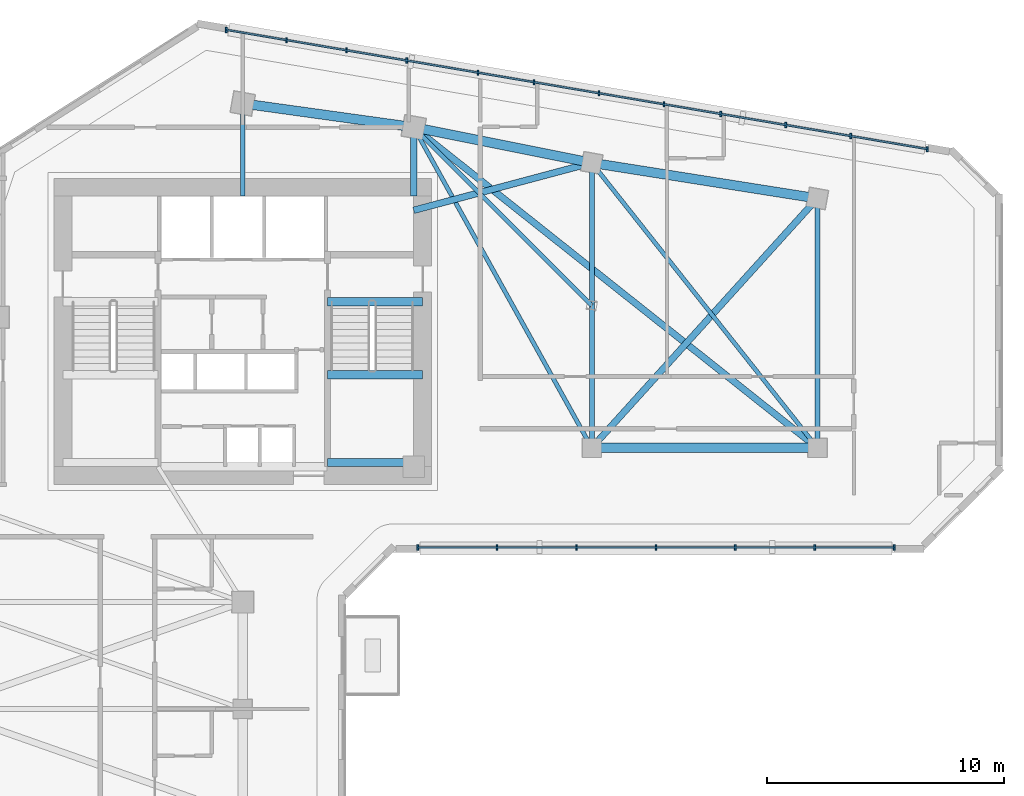
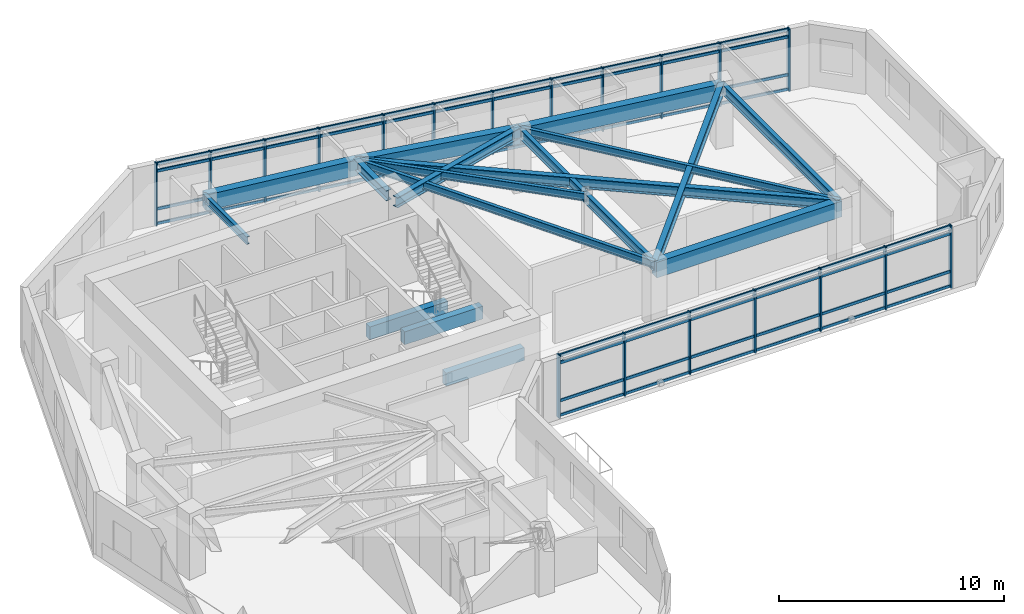
# One storey, part 2 of 10: 27 members, 17 beams, 2 elements without a shape of their own.
"""IFC4 building model written with IfcOpenShell, lengths in metres."""

from ifc_helpers import new_model, si_unit, direction, frame, origin, origin_2d, place, context, subcontext, project, spatial, rectangle, i_section, extrude, source, transform, mapped, material, material_profile, profile_set, type_object, element, aggregate, save


model = new_model("IFC4")

# Units and contexts
model_context = context("Model", 3, precision=1e-05, world=origin(), true_north=direction((0.0, 1.0)))
body_context = subcontext(model_context, "Body", "Model", "MODEL_VIEW")
ifc_project = project(units=[si_unit("LENGTHUNIT", "METRE"), si_unit("AREAUNIT", "SQUARE_METRE"), si_unit("VOLUMEUNIT", "CUBIC_METRE"), si_unit("PLANEANGLEUNIT", "RADIAN"), si_unit("MASSUNIT", "GRAM", prefix="KILO")], contexts=[model_context])

# Site, building, storey
site_placement = place(None, origin())
site = spatial("IfcSite", under=ifc_project, at=site_placement, CompositionType="ELEMENT")
building_placement = place(site_placement, origin())
building = spatial("IfcBuilding", under=site, at=building_placement, Name="Calvemar Wedge Station Tower", CompositionType="ELEMENT")
storey_placement = place(building_placement, frame((0.0, 0.0, 146.60009765625)))
storey = spatial("IfcBuildingStorey", under=building, at=storey_placement, Name="L36", CompositionType="ELEMENT", Elevation=146.60009765625)

# Beams
ifc_material_1 = material(Name="Concrete C60", Category="concrete")
ifc_material_profile_1 = material_profile(ifc_material_1, rectangle(XDim=0.39990234375, YDim=0.85009765625, at=origin_2d()), Name="RC400x850")
ifc_profile_set_1 = profile_set([ifc_material_profile_1], Name="Concrete C60")
beam_type_1 = type_object("IfcBeamType", Name="BM-SP1-850", PredefinedType="SPANDREL", material=ifc_profile_set_1)
shared_shape_1 = source(origin(), body_context, "Body", "SweptSolid", [
    extrude(rectangle(XDim=0.39990234375, YDim=0.85009765625, at=origin_2d()), origin(), (0.0, 0.0, 1.0), 7.26904296875),
])
beam_1_placement = place(storey_placement, frame((23.800048828125, 49.5, 2.9248046875), z_axis=(0.990492146053, -0.13756928657, 0.0), x_axis=(0.13756928657, 0.990492146053, 0.0)))
element("IfcBeam", 1, at=beam_1_placement, inside=storey, type_object=beam_type_1, Name="Storey L36 Spandrel T-N1-T-N2", PredefinedType="SPANDREL", context=body_context, shape_type="MappedRepresentation", body=[
    mapped(shared_shape_1, transform((0.0, 0.0, 0.0), scale=1.0)),
])
shared_shape_2 = source(origin(), body_context, "Body", "SweptSolid", [
    extrude(rectangle(XDim=0.39990234375, YDim=0.85009765625, at=origin_2d()), origin(), (0.0, 0.0, 1.0), 7.6484375),
])
beam_2_placement = place(storey_placement, frame((31.0, 48.5, 2.9248046875), z_axis=(0.980580675691, -0.196116135138, 0.0), x_axis=(0.196116135138, 0.980580675691, 0.0)))
element("IfcBeam", 2, at=beam_2_placement, inside=storey, type_object=beam_type_1, Name="Storey L36 Spandrel T-N2-T-NU3", PredefinedType="SPANDREL", context=body_context, shape_type="MappedRepresentation", body=[
    mapped(shared_shape_2, transform((0.0, 0.0, 0.0), scale=1.0)),
])
shared_shape_3 = source(origin(), body_context, "Body", "SweptSolid", [
    extrude(rectangle(XDim=0.39990234375, YDim=0.85009765625, at=origin_2d()), origin(), (0.0, 0.0, 1.0), 9.61767578125),
])
beam_3_placement = place(storey_placement, frame((38.5, 47.0, 2.9248046875), z_axis=(0.987762965329, -0.155962573473, 0.0), x_axis=(0.155962573473, 0.987762965329, 0.0)))
element("IfcBeam", 3, at=beam_3_placement, inside=storey, type_object=beam_type_1, Name="Storey L36 Spandrel T-NU3-T-NU4", PredefinedType="SPANDREL", context=body_context, shape_type="MappedRepresentation", body=[
    mapped(shared_shape_3, transform((0.0, 0.0, 0.0), scale=1.0)),
])
shared_shape_4 = source(origin(), body_context, "Body", "SweptSolid", [
    extrude(rectangle(XDim=0.39990234375, YDim=0.85009765625, at=origin_2d()), origin(), (0.0, 0.0, 1.0), 9.5),
])
beam_4_placement = place(storey_placement, frame((38.5, 35.0, 2.9248046875), z_axis=(1.0, 0.0, 0.0), x_axis=(0.0, 1.0, 0.0)))
element("IfcBeam", 4, at=beam_4_placement, inside=storey, type_object=beam_type_1, Name="Storey L36 Spandrel T-NL2-T-NL3", PredefinedType="SPANDREL", context=body_context, shape_type="MappedRepresentation", body=[
    mapped(shared_shape_4, transform((0.0, 0.0, 0.0), scale=1.0)),
])
ifc_material_2 = material(Name="Structural steel ASTM A572 Grade 50", Category="steel")
ifc_material_profile_2 = material_profile(ifc_material_2, i_section(OverallWidth=0.177978515625, OverallDepth=0.406982421875, WebThickness=0.0078125, FlangeThickness=0.0126953125, FilletRadius=0.010009765625, at=origin_2d()), Name="W410x60")
ifc_profile_set_2 = profile_set([ifc_material_profile_2], Name="Structural steel ASTM A572 Grade 50")
beam_type_2 = type_object("IfcBeamType", Name="BM-J3-W410", PredefinedType="JOIST", material=ifc_profile_set_2)
shared_shape_5 = source(origin(), body_context, "Body", "SweptSolid", [
    extrude(i_section(OverallWidth=0.177978515625, OverallDepth=0.406982421875, WebThickness=0.0078125, FlangeThickness=0.0126953125, FilletRadius=0.010009765625, at=origin_2d()), origin(), (0.0, 0.0, 1.0), 15.443359375),
])
beam_5_placement = place(storey_placement, frame((31.0, 48.5, 3.146484375), z_axis=(0.485642931179, -0.874157276122, 0.0), x_axis=(0.874157276122, 0.485642931179, 0.0)))
element("IfcBeam", 5, at=beam_5_placement, inside=storey, type_object=beam_type_2, Name="Storey L36 Floor Beam T-N2-T-NL2", PredefinedType="JOIST", context=body_context, shape_type="MappedRepresentation", body=[
    mapped(shared_shape_5, transform((0.0, 0.0, 0.0), scale=1.0)),
])
ifc_material_profile_3 = material_profile(ifc_material_2, i_section(OverallWidth=0.279052734375, OverallDepth=0.553955078125, WebThickness=0.017578125, FlangeThickness=0.029541015625, FilletRadius=0.014892578125, at=origin_2d()), Name="W530x196")
ifc_profile_set_3 = profile_set([ifc_material_profile_3], Name="Structural steel ASTM A572 Grade 50")
beam_type_3 = type_object("IfcBeamType", Name="BM-SB3-W530H", PredefinedType="BEAM", material=ifc_profile_set_3)
shared_shape_6 = source(origin(), body_context, "Body", "SweptSolid", [
    extrude(i_section(OverallWidth=0.279052734375, OverallDepth=0.553955078125, WebThickness=0.017578125, FlangeThickness=0.029541015625, FilletRadius=0.014892578125, at=origin_2d()), origin(), (0.0, 0.0, 1.0), 21.708251953125),
])
beam_6_placement = place(storey_placement, frame((31.0, 48.5, 3.072998046875), z_axis=(0.783110847498, -0.621882143602, 0.0), x_axis=(0.621882143602, 0.783110847498, 0.0)))
element("IfcBeam", 6, at=beam_6_placement, inside=storey, type_object=beam_type_3, Name="Storey L36 Floor Beam T-N2-T-NL3", PredefinedType="BEAM", context=body_context, shape_type="MappedRepresentation", body=[
    mapped(shared_shape_6, transform((0.0, 0.0, 0.0), scale=1.0)),
])
shared_shape_7 = source(origin(), body_context, "Body", "SweptSolid", [
    extrude(i_section(OverallWidth=0.177978515625, OverallDepth=0.406982421875, WebThickness=0.0078125, FlangeThickness=0.0126953125, FilletRadius=0.010009765625, at=origin_2d()), origin(), (0.0, 0.0, 1.0), 15.30517578125),
])
beam_7_placement = place(storey_placement, frame((38.5, 47.0, 3.146484375), z_axis=(0.620702944366, -0.784045824462, 0.0), x_axis=(0.784045824462, 0.620702944366, 0.0)))
element("IfcBeam", 7, at=beam_7_placement, inside=storey, type_object=beam_type_2, Name="Storey L36 Floor Beam T-NU3-T-NL3", PredefinedType="JOIST", context=body_context, shape_type="MappedRepresentation", body=[
    mapped(shared_shape_7, transform((0.0, 0.0, 0.0), scale=1.0)),
])
shared_shape_8 = source(origin(), body_context, "Body", "SweptSolid", [
    extrude(i_section(OverallWidth=0.279052734375, OverallDepth=0.553955078125, WebThickness=0.017578125, FlangeThickness=0.029541015625, FilletRadius=0.014892578125, at=origin_2d()), origin(), (0.0, 0.0, 1.0), 14.159912109375),
])
beam_8_placement = place(storey_placement, frame((38.5, 35.0, 3.072998046875), z_axis=(0.670913323969, 0.741535779124, 0.0), x_axis=(-0.741535779124, 0.670913323969, 0.0)))
element("IfcBeam", 8, at=beam_8_placement, inside=storey, type_object=beam_type_3, Name="Storey L36 Floor Beam T-NL2-T-NU4", PredefinedType="BEAM", context=body_context, shape_type="MappedRepresentation", body=[
    mapped(shared_shape_8, transform((0.0, 0.0, 0.0), scale=1.0)),
])
shared_shape_9 = source(origin(), body_context, "Body", "SweptSolid", [
    extrude(i_section(OverallWidth=0.279052734375, OverallDepth=0.553955078125, WebThickness=0.017578125, FlangeThickness=0.029541015625, FilletRadius=0.014892578125, at=origin_2d()), origin(), (0.0, 0.0, 1.0), 7.76220703125),
])
beam_9_placement = place(storey_placement, frame((31.0, 45.0, 3.072998046875), z_axis=(0.966234939601, 0.25766265056, 0.0), x_axis=(-0.25766265056, 0.966234939601, 0.0)))
element("IfcBeam", 9, at=beam_9_placement, inside=storey, type_object=beam_type_3, Name="Storey L36 Core-to-Column Joist CJ-E2", PredefinedType="BEAM", context=body_context, shape_type="MappedRepresentation", body=[
    mapped(shared_shape_9, transform((0.0, 0.0, 0.0), scale=1.0)),
])
shared_shape_10 = source(origin(), body_context, "Body", "SweptSolid", [
    extrude(i_section(OverallWidth=0.177978515625, OverallDepth=0.406982421875, WebThickness=0.0078125, FlangeThickness=0.0126953125, FilletRadius=0.010009765625, at=origin_2d()), origin(), (0.0, 0.0, 1.0), 3.89990234375),
])
beam_10_placement = place(storey_placement, frame((23.800048828125, 45.60009765625, 3.146484375), z_axis=(0.0, 1.0, 0.0), x_axis=(-1.0, 0.0, 0.0)))
element("IfcBeam", 10, at=beam_10_placement, inside=storey, type_object=beam_type_2, Name="Storey L36 Core-to-Column Joist CJ-N1", PredefinedType="JOIST", context=body_context, shape_type="MappedRepresentation", body=[
    mapped(shared_shape_10, transform((0.0, 0.0, 0.0), scale=1.0)),
])
shared_shape_11 = source(origin(), body_context, "Body", "SweptSolid", [
    extrude(i_section(OverallWidth=0.279052734375, OverallDepth=0.553955078125, WebThickness=0.017578125, FlangeThickness=0.029541015625, FilletRadius=0.014892578125, at=origin_2d()), origin(), (0.0, 0.0, 1.0), 2.89990234375),
])
beam_11_placement = place(storey_placement, frame((31.0, 45.60009765625, 3.072998046875), z_axis=(0.0, 1.0, 0.0), x_axis=(-1.0, 0.0, 0.0)))
element("IfcBeam", 11, at=beam_11_placement, inside=storey, type_object=beam_type_3, Name="Storey L36 Core-to-Column Joist CJ-N2", PredefinedType="BEAM", context=body_context, shape_type="MappedRepresentation", body=[
    mapped(shared_shape_11, transform((0.0, 0.0, 0.0), scale=1.0)),
])
ifc_material_3 = material(Name="Concrete C70", Category="concrete")
ifc_material_profile_4 = material_profile(ifc_material_3, rectangle(XDim=0.35009765625, YDim=0.699951171875, at=origin_2d()), Name="RC350x700")
ifc_profile_set_4 = profile_set([ifc_material_profile_4], Name="Concrete C70")
beam_type_4 = type_object("IfcBeamType", Name="BM-LN1-700", PredefinedType="LINTEL", material=ifc_profile_set_4)
shared_shape_12 = source(origin(), body_context, "Body", "SweptSolid", [
    extrude(rectangle(XDim=0.35009765625, YDim=0.699951171875, at=origin_2d()), origin(), (0.0, 0.0, 1.0), 4.0048828125),
])
for number, where, z_axis, x_axis, name in (
    (12, (27.3701171875, 41.14990234375, -0.35009765625), (1.0, 0.0, 0.0), (0.0, 1.0, 0.0), "Storey L36 Stair ST-C2 Landing Trimmer Beam"),
    (13, (27.3701171875, 34.3798828125, 1.25), (1.0, 0.0, 0.0), (0.0, 1.0, 0.0), "Storey L36 Stair ST-C2 Half-Landing Beam 1A"),
    (14, (27.3701171875, 38.070068359375, 1.25), (1.0, 0.0, 0.0), (0.0, 1.0, 0.0), "Storey L36 Stair ST-C2 Half-Landing Beam 1B"),
):
    element("IfcBeam", number, at=place(storey_placement, frame(where, z_axis=z_axis, x_axis=x_axis)), inside=storey, type_object=beam_type_4, Name=name, PredefinedType="LINTEL", context=body_context, shape_type="MappedRepresentation", body=[
        mapped(shared_shape_12, transform((0.0, 0.0, 0.0), scale=1.0)),
    ])
ifc_material_profile_5 = material_profile(ifc_material_2, i_section(OverallWidth=0.2109375, OverallDepth=0.5390625, WebThickness=0.01171875, FlangeThickness=0.018798828125, FilletRadius=0.012939453125, at=origin_2d()), Name="W530x109")
ifc_profile_set_5 = profile_set([ifc_material_profile_5], Name="Structural steel ASTM A572 Grade 50")
beam_type_5 = type_object("IfcBeamType", Name="BM-SB4-W530", PredefinedType="BEAM", material=ifc_profile_set_5)
shared_shape_13 = source(origin(), body_context, "Body", "SweptSolid", [
    extrude(i_section(OverallWidth=0.2109375, OverallDepth=0.5390625, WebThickness=0.01171875, FlangeThickness=0.018798828125, FilletRadius=0.012939453125, at=origin_2d()), origin(), (0.0, 0.0, 1.0), 12.0),
])
beam_12_placement = place(storey_placement, frame((38.5, 47.0, 3.080322265625), z_axis=(0.0, -1.0, 0.0), x_axis=(1.0, 0.0, 0.0)))
element("IfcBeam", 15, at=beam_12_placement, inside=storey, type_object=beam_type_5, Name="Storey L36 Floor Beam T-NU3-T-NL2", PredefinedType="BEAM", context=body_context, shape_type="MappedRepresentation", body=[
    mapped(shared_shape_13, transform((0.0, 0.0, 0.0), scale=1.0)),
])
shared_shape_14 = source(origin(), body_context, "Body", "SweptSolid", [
    extrude(i_section(OverallWidth=0.2109375, OverallDepth=0.5390625, WebThickness=0.01171875, FlangeThickness=0.018798828125, FilletRadius=0.012939453125, at=origin_2d()), origin(), (0.0, 0.0, 1.0), 10.5),
])
beam_13_placement = place(storey_placement, frame((48.0, 45.5, 3.080322265625), z_axis=(0.0, -1.0, 0.0), x_axis=(1.0, 0.0, 0.0)))
element("IfcBeam", 16, at=beam_13_placement, inside=storey, type_object=beam_type_5, Name="Storey L36 Floor Beam T-NU4-T-NL3", PredefinedType="BEAM", context=body_context, shape_type="MappedRepresentation", body=[
    mapped(shared_shape_14, transform((0.0, 0.0, 0.0), scale=1.0)),
])
shared_shape_15 = source(origin(), body_context, "Body", "SweptSolid", [
    extrude(i_section(OverallWidth=0.177978515625, OverallDepth=0.406982421875, WebThickness=0.0078125, FlangeThickness=0.0126953125, FilletRadius=0.010009765625, at=origin_2d()), origin(), (0.0, 0.0, 1.0), 10.606689453125),
])
beam_14_placement = place(storey_placement, frame((38.5, 41.0, 3.146484375), z_axis=(-0.707106781187, 0.707106781187, 0.0), x_axis=(-0.707106781187, -0.707106781187, 0.0)))
element("IfcBeam", 17, at=beam_14_placement, inside=storey, type_object=beam_type_2, Name="Storey L36 Floor Beam T-NTIP-B-T-N2", PredefinedType="JOIST", context=body_context, shape_type="MappedRepresentation", body=[
    mapped(shared_shape_15, transform((0.0, 0.0, 0.0), scale=1.0)),
])

# Curtain wall, members
ifc_material_4 = material(Name="Anodised aluminium 6063-T6", Category="aluminium")
curtain_wall_type = type_object("IfcCurtainWallType", Name="CW2", PredefinedType="NOTDEFINED", material=ifc_material_4)
curtain_wall_1_placement = place(storey_placement, origin())
curtain_wall_1 = element("IfcCurtainWall", 18, at=curtain_wall_1_placement, inside=storey, type_object=curtain_wall_type, Name="Storey L36 CW2 Recessed Unitised Curtain Wall 6", PredefinedType="NOTDEFINED")
ifc_material_profile_6 = material_profile(ifc_material_4, rectangle(XDim=0.074951171875, YDim=0.219970703125, at=origin_2d()), Name="AL-MUL-75x220")
ifc_profile_set_6 = profile_set([ifc_material_profile_6], Name="Anodised aluminium 6063-T6")
member_type_1 = type_object("IfcMemberType", Name="CW2-MUL", PredefinedType="MULLION", material=ifc_profile_set_6)
shared_shape_16 = source(origin(), body_context, "Body", "SweptSolid", [
    extrude(rectangle(XDim=0.074951171875, YDim=0.219970703125, at=origin_2d()), origin(), (0.0, 0.0, 1.0), 3.39990234375),
])
member_1_placement = place(storey_placement, frame((31.166015625, 30.802001953125, -0.050048828125), z_axis=(0.0, 0.0, 1.0), x_axis=(1.0, 0.0, 0.0)))
member_1 = element("IfcMember", 19, at=member_1_placement, type_object=member_type_1, Name="CW2 mullion 1", PredefinedType="MULLION", context=body_context, shape_type="MappedRepresentation", body=[
    mapped(shared_shape_16, transform((0.0, 0.0, 0.0), scale=1.0)),
])
member_2_placement = place(storey_placement, frame((34.51123046875, 30.802001953125, -0.050048828125), z_axis=(0.0, 0.0, 1.0), x_axis=(1.0, 0.0, 0.0)))
member_2 = element("IfcMember", 20, at=member_2_placement, type_object=member_type_1, Name="CW2 mullion 2", PredefinedType="MULLION", context=body_context, shape_type="MappedRepresentation", body=[
    mapped(shared_shape_16, transform((0.0, 0.0, 0.0), scale=1.0)),
])
member_3_placement = place(storey_placement, frame((37.856689453125, 30.802001953125, -0.050048828125), z_axis=(0.0, 0.0, 1.0), x_axis=(1.0, 0.0, 0.0)))
member_3 = element("IfcMember", 21, at=member_3_placement, type_object=member_type_1, Name="CW2 mullion 3", PredefinedType="MULLION", context=body_context, shape_type="MappedRepresentation", body=[
    mapped(shared_shape_16, transform((0.0, 0.0, 0.0), scale=1.0)),
])
member_4_placement = place(storey_placement, frame((41.201904296875, 30.802001953125, -0.050048828125), z_axis=(0.0, 0.0, 1.0), x_axis=(1.0, 0.0, 0.0)))
member_4 = element("IfcMember", 22, at=member_4_placement, type_object=member_type_1, Name="CW2 mullion 4", PredefinedType="MULLION", context=body_context, shape_type="MappedRepresentation", body=[
    mapped(shared_shape_16, transform((0.0, 0.0, 0.0), scale=1.0)),
])
member_5_placement = place(storey_placement, frame((44.547119140625, 30.802001953125, -0.050048828125), z_axis=(0.0, 0.0, 1.0), x_axis=(1.0, 0.0, 0.0)))
member_5 = element("IfcMember", 23, at=member_5_placement, type_object=member_type_1, Name="CW2 mullion 5", PredefinedType="MULLION", context=body_context, shape_type="MappedRepresentation", body=[
    mapped(shared_shape_16, transform((0.0, 0.0, 0.0), scale=1.0)),
])
member_6_placement = place(storey_placement, frame((47.892578125, 30.802001953125, -0.050048828125), z_axis=(0.0, 0.0, 1.0), x_axis=(1.0, 0.0, 0.0)))
member_6 = element("IfcMember", 24, at=member_6_placement, type_object=member_type_1, Name="CW2 mullion 6", PredefinedType="MULLION", context=body_context, shape_type="MappedRepresentation", body=[
    mapped(shared_shape_16, transform((0.0, 0.0, 0.0), scale=1.0)),
])
member_7_placement = place(storey_placement, frame((51.23779296875, 30.802001953125, -0.050048828125), z_axis=(0.0, 0.0, 1.0), x_axis=(1.0, 0.0, 0.0)))
member_7 = element("IfcMember", 25, at=member_7_placement, type_object=member_type_1, Name="CW2 mullion 7", PredefinedType="MULLION", context=body_context, shape_type="MappedRepresentation", body=[
    mapped(shared_shape_16, transform((0.0, 0.0, 0.0), scale=1.0)),
])

curtain_wall_2_placement = place(storey_placement, origin())
curtain_wall_2 = element("IfcCurtainWall", 26, at=curtain_wall_2_placement, inside=storey, type_object=curtain_wall_type, Name="Storey L36 CW2 Recessed Unitised Curtain Wall 10", PredefinedType="NOTDEFINED")
member_8_placement = place(storey_placement, frame((52.63330078125, 47.577392578125, -0.050048828125), z_axis=(0.0, 0.0, 1.0), x_axis=(1.0, 0.0, 0.0)))
member_8 = element("IfcMember", 27, at=member_8_placement, type_object=member_type_1, Name="CW2 mullion 1", PredefinedType="MULLION", context=body_context, shape_type="MappedRepresentation", body=[
    mapped(shared_shape_16, transform((0.0, 0.0, 0.0), scale=1.0)),
])
member_9_placement = place(storey_placement, frame((49.40625, 48.126220703125, -0.050048828125), z_axis=(0.0, 0.0, 1.0), x_axis=(1.0, 0.0, 0.0)))
member_9 = element("IfcMember", 28, at=member_9_placement, type_object=member_type_1, Name="CW2 mullion 2", PredefinedType="MULLION", context=body_context, shape_type="MappedRepresentation", body=[
    mapped(shared_shape_16, transform((0.0, 0.0, 0.0), scale=1.0)),
])
member_10_placement = place(storey_placement, frame((46.67236328125, 48.591064453125, -0.050048828125), z_axis=(0.0, 0.0, 1.0), x_axis=(1.0, 0.0, 0.0)))
member_10 = element("IfcMember", 29, at=member_10_placement, type_object=member_type_1, Name="CW2 mullion 3", PredefinedType="MULLION", context=body_context, shape_type="MappedRepresentation", body=[
    mapped(shared_shape_16, transform((0.0, 0.0, 0.0), scale=1.0)),
])
member_11_placement = place(storey_placement, frame((43.938232421875, 49.05615234375, -0.050048828125), z_axis=(0.0, 0.0, 1.0), x_axis=(1.0, 0.0, 0.0)))
member_11 = element("IfcMember", 30, at=member_11_placement, type_object=member_type_1, Name="CW2 mullion 4", PredefinedType="MULLION", context=body_context, shape_type="MappedRepresentation", body=[
    mapped(shared_shape_16, transform((0.0, 0.0, 0.0), scale=1.0)),
])
member_12_placement = place(storey_placement, frame((41.5380859375, 49.46435546875, -0.050048828125), z_axis=(0.0, 0.0, 1.0), x_axis=(1.0, 0.0, 0.0)))
member_12 = element("IfcMember", 31, at=member_12_placement, type_object=member_type_1, Name="CW2 mullion 5", PredefinedType="MULLION", context=body_context, shape_type="MappedRepresentation", body=[
    mapped(shared_shape_16, transform((0.0, 0.0, 0.0), scale=1.0)),
])
member_13_placement = place(storey_placement, frame((38.8046875, 49.92919921875, -0.050048828125), z_axis=(0.0, 0.0, 1.0), x_axis=(1.0, 0.0, 0.0)))
member_13 = element("IfcMember", 32, at=member_13_placement, type_object=member_type_1, Name="CW2 mullion 6", PredefinedType="MULLION", context=body_context, shape_type="MappedRepresentation", body=[
    mapped(shared_shape_16, transform((0.0, 0.0, 0.0), scale=1.0)),
])
member_14_placement = place(storey_placement, frame((36.0712890625, 50.39404296875, -0.050048828125), z_axis=(0.0, 0.0, 1.0), x_axis=(1.0, 0.0, 0.0)))
member_14 = element("IfcMember", 33, at=member_14_placement, type_object=member_type_1, Name="CW2 mullion 7", PredefinedType="MULLION", context=body_context, shape_type="MappedRepresentation", body=[
    mapped(shared_shape_16, transform((0.0, 0.0, 0.0), scale=1.0)),
])
member_15_placement = place(storey_placement, frame((33.7080078125, 50.7958984375, -0.050048828125), z_axis=(0.0, 0.0, 1.0), x_axis=(1.0, 0.0, 0.0)))
member_15 = element("IfcMember", 34, at=member_15_placement, type_object=member_type_1, Name="CW2 mullion 8", PredefinedType="MULLION", context=body_context, shape_type="MappedRepresentation", body=[
    mapped(shared_shape_16, transform((0.0, 0.0, 0.0), scale=1.0)),
])
member_16_placement = place(storey_placement, frame((30.7080078125, 51.30615234375, -0.050048828125), z_axis=(0.0, 0.0, 1.0), x_axis=(1.0, 0.0, 0.0)))
member_16 = element("IfcMember", 35, at=member_16_placement, type_object=member_type_1, Name="CW2 mullion 9", PredefinedType="MULLION", context=body_context, shape_type="MappedRepresentation", body=[
    mapped(shared_shape_16, transform((0.0, 0.0, 0.0), scale=1.0)),
])
member_17_placement = place(storey_placement, frame((28.17431640625, 51.737060546875, -0.050048828125), z_axis=(0.0, 0.0, 1.0), x_axis=(1.0, 0.0, 0.0)))
member_17 = element("IfcMember", 36, at=member_17_placement, type_object=member_type_1, Name="CW2 mullion 10", PredefinedType="MULLION", context=body_context, shape_type="MappedRepresentation", body=[
    mapped(shared_shape_16, transform((0.0, 0.0, 0.0), scale=1.0)),
])
member_18_placement = place(storey_placement, frame((25.64013671875, 52.16796875, -0.050048828125), z_axis=(0.0, 0.0, 1.0), x_axis=(1.0, 0.0, 0.0)))
member_18 = element("IfcMember", 37, at=member_18_placement, type_object=member_type_1, Name="CW2 mullion 11", PredefinedType="MULLION", context=body_context, shape_type="MappedRepresentation", body=[
    mapped(shared_shape_16, transform((0.0, 0.0, 0.0), scale=1.0)),
])
member_19_placement = place(storey_placement, frame((23.106201171875, 52.598876953125, -0.050048828125), z_axis=(0.0, 0.0, 1.0), x_axis=(1.0, 0.0, 0.0)))
member_19 = element("IfcMember", 38, at=member_19_placement, type_object=member_type_1, Name="CW2 mullion 12", PredefinedType="MULLION", context=body_context, shape_type="MappedRepresentation", body=[
    mapped(shared_shape_16, transform((0.0, 0.0, 0.0), scale=1.0)),
])
ifc_material_profile_7 = material_profile(ifc_material_4, rectangle(XDim=0.074951171875, YDim=0.14990234375, at=origin_2d()), Name="AL-TRN-75x150")
ifc_profile_set_7 = profile_set([ifc_material_profile_7], Name="Anodised aluminium 6063-T6")
member_type_2 = type_object("IfcMemberType", Name="CW2-TRN", PredefinedType="USERDEFINED", material=ifc_profile_set_7)
shared_shape_17 = source(origin(), body_context, "Body", "SweptSolid", [
    extrude(rectangle(XDim=0.074951171875, YDim=0.14990234375, at=origin_2d()), origin(), (0.0, 0.0, 1.0), 29.950927734375),
])
member_20_placement = place(storey_placement, frame((52.63330078125, 47.577392578125, 0.059814453125), z_axis=(-0.985845487877, 0.167656416615, 0.0), x_axis=(-0.167656416615, -0.985845487877, 0.0)))
member_20 = element("IfcMember", 39, at=member_20_placement, type_object=member_type_2, Name="CW2 transom 1", ObjectType="TRANSOM", PredefinedType="USERDEFINED", context=body_context, shape_type="MappedRepresentation", body=[
    mapped(shared_shape_17, transform((0.0, 0.0, 0.0), scale=1.0)),
])
member_21_placement = place(storey_placement, frame((52.63330078125, 47.577392578125, 0.849853515625), z_axis=(-0.985845487877, 0.167656416615, 0.0), x_axis=(-0.167656416615, -0.985845487877, 0.0)))
member_21 = element("IfcMember", 40, at=member_21_placement, type_object=member_type_2, Name="CW2 transom 2", ObjectType="TRANSOM", PredefinedType="USERDEFINED", context=body_context, shape_type="MappedRepresentation", body=[
    mapped(shared_shape_17, transform((0.0, 0.0, 0.0), scale=1.0)),
])
member_22_placement = place(storey_placement, frame((52.63330078125, 47.577392578125, 2.89990234375), z_axis=(-0.985845487877, 0.167656416615, 0.0), x_axis=(-0.167656416615, -0.985845487877, 0.0)))
member_22 = element("IfcMember", 41, at=member_22_placement, type_object=member_type_2, Name="CW2 transom 3", ObjectType="TRANSOM", PredefinedType="USERDEFINED", context=body_context, shape_type="MappedRepresentation", body=[
    mapped(shared_shape_17, transform((0.0, 0.0, 0.0), scale=1.0)),
])
member_23_placement = place(storey_placement, frame((52.63330078125, 47.577392578125, 3.289794921875), z_axis=(-0.985845487877, 0.167656416615, 0.0), x_axis=(-0.167656416615, -0.985845487877, 0.0)))
member_23 = element("IfcMember", 42, at=member_23_placement, type_object=member_type_2, Name="CW2 transom 4", ObjectType="TRANSOM", PredefinedType="USERDEFINED", context=body_context, shape_type="MappedRepresentation", body=[
    mapped(shared_shape_17, transform((0.0, 0.0, 0.0), scale=1.0)),
])
aggregate(curtain_wall_2, [member_8, member_9, member_10, member_11, member_12, member_13, member_14, member_15, member_16, member_17, member_18, member_19, member_20, member_21, member_22, member_23])

# Member
shared_shape_18 = source(origin(), body_context, "Body", "SweptSolid", [
    extrude(rectangle(XDim=0.074951171875, YDim=0.14990234375, at=origin_2d()), origin(), (0.0, 0.0, 1.0), 20.07177734375),
])
member_24_placement = place(storey_placement, frame((31.166015625, 30.802001953125, 0.059814453125), z_axis=(1.0, 0.0, 0.0), x_axis=(0.0, 1.0, 0.0)))
member_24 = element("IfcMember", 43, at=member_24_placement, type_object=member_type_2, Name="CW2 transom 1", ObjectType="TRANSOM", PredefinedType="USERDEFINED", context=body_context, shape_type="MappedRepresentation", body=[
    mapped(shared_shape_18, transform((0.0, 0.0, 0.0), scale=1.0)),
])

member_25_placement = place(storey_placement, frame((31.166015625, 30.802001953125, 0.849853515625), z_axis=(1.0, 0.0, 0.0), x_axis=(0.0, 1.0, 0.0)))
member_25 = element("IfcMember", 44, at=member_25_placement, type_object=member_type_2, Name="CW2 transom 2", ObjectType="TRANSOM", PredefinedType="USERDEFINED", context=body_context, shape_type="MappedRepresentation", body=[
    mapped(shared_shape_18, transform((0.0, 0.0, 0.0), scale=1.0)),
])

member_26_placement = place(storey_placement, frame((31.166015625, 30.802001953125, 2.89990234375), z_axis=(1.0, 0.0, 0.0), x_axis=(0.0, 1.0, 0.0)))
member_26 = element("IfcMember", 45, at=member_26_placement, type_object=member_type_2, Name="CW2 transom 3", ObjectType="TRANSOM", PredefinedType="USERDEFINED", context=body_context, shape_type="MappedRepresentation", body=[
    mapped(shared_shape_18, transform((0.0, 0.0, 0.0), scale=1.0)),
])

member_27_placement = place(storey_placement, frame((31.166015625, 30.802001953125, 3.289794921875), z_axis=(1.0, 0.0, 0.0), x_axis=(0.0, 1.0, 0.0)))
member_27 = element("IfcMember", 46, at=member_27_placement, type_object=member_type_2, Name="CW2 transom 4", ObjectType="TRANSOM", PredefinedType="USERDEFINED", context=body_context, shape_type="MappedRepresentation", body=[
    mapped(shared_shape_18, transform((0.0, 0.0, 0.0), scale=1.0)),
])

aggregate(curtain_wall_1, [member_1, member_2, member_3, member_4, member_5, member_6, member_7, member_24, member_25, member_26, member_27])

save(model, "model.ifc")
